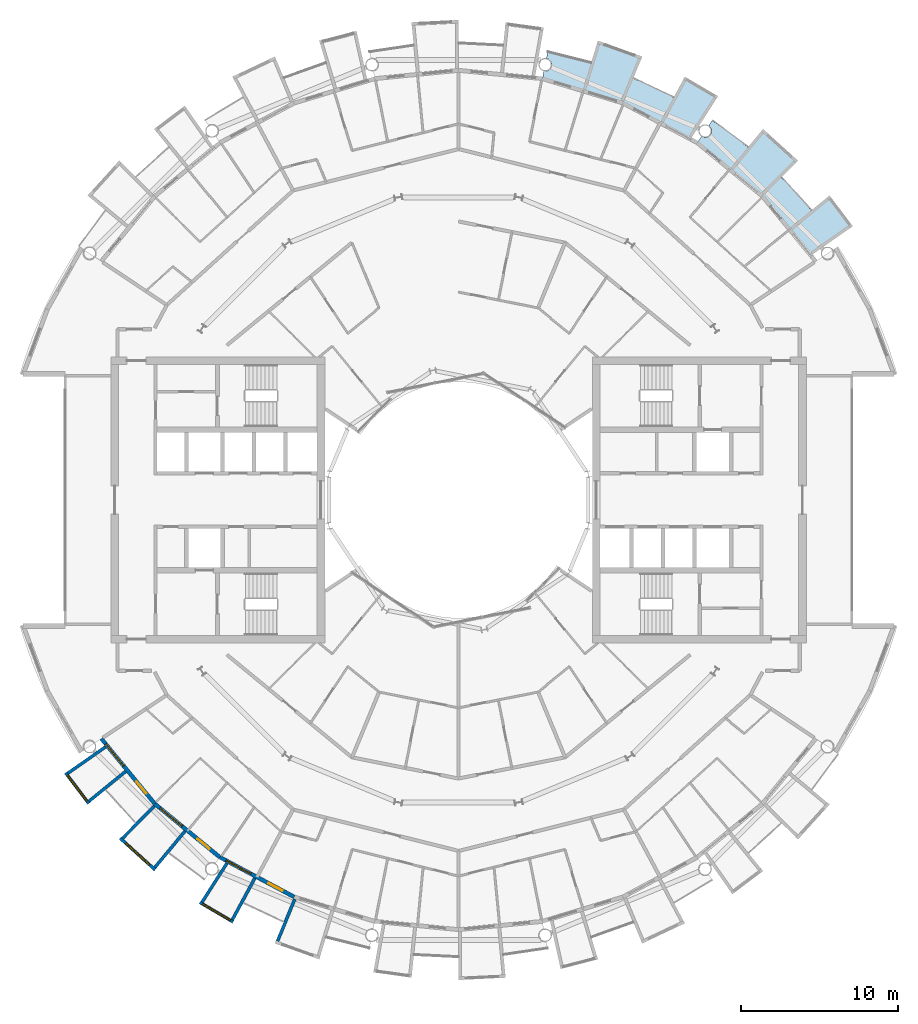
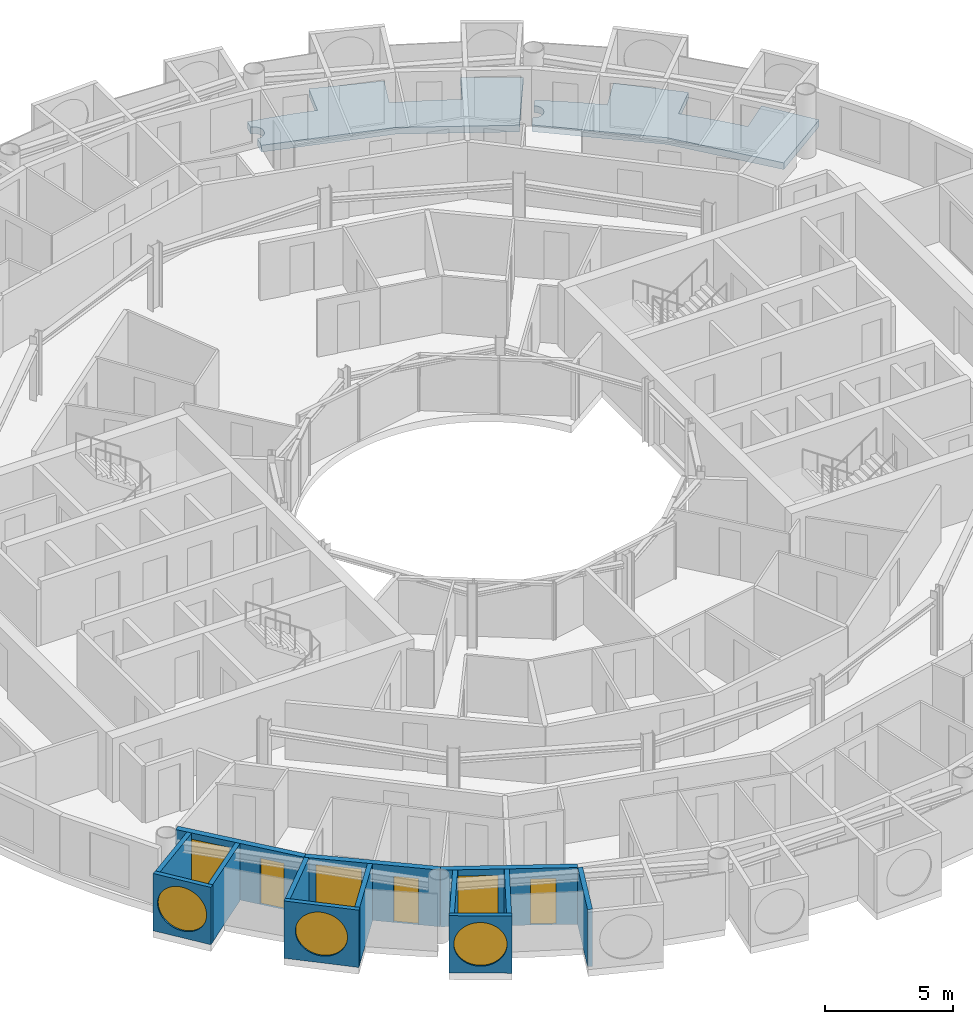
# One storey, part 13 of 27: 13 walls, 6 windows, 3 doors, 2 slabs, 9 openings.
"""IFC4 building model written with IfcOpenShell, lengths in metres."""

from ifc_helpers import new_model, si_unit, direction, frame, frame_2d, origin, place, context, subcontext, project, spatial, polyline, rectangle, circle, outline, extrude, material, layer, layer_set, type_object, element, fill, save


model = new_model("IFC4")

# Units and contexts
model_context = context("Model", 3, precision=1e-05, world=origin(), true_north=direction((0.0, 1.0)))
body_context = subcontext(model_context, "Body", "Model", "MODEL_VIEW")
ifc_project = project(units=[si_unit("LENGTHUNIT", "METRE"), si_unit("AREAUNIT", "SQUARE_METRE"), si_unit("VOLUMEUNIT", "CUBIC_METRE"), si_unit("PLANEANGLEUNIT", "RADIAN"), si_unit("MASSUNIT", "GRAM", prefix="KILO")], contexts=[model_context])

# Site, building, storey
site_placement = place(None, origin())
site = spatial("IfcSite", under=ifc_project, at=site_placement, CompositionType="ELEMENT")
building_placement = place(site_placement, origin())
building = spatial("IfcBuilding", under=site, at=building_placement, Name="Maasbend Ring Residences", CompositionType="ELEMENT")
storey_placement = place(building_placement, frame((0.0, 0.0, 164.64990234375)))
storey = spatial("IfcBuildingStorey", under=building, at=storey_placement, Name="L47", CompositionType="ELEMENT", Elevation=164.64990234375)

# Slabs
ifc_material_1 = material(Name="Concrete C40/50", Category="concrete")
ifc_layer_1 = layer(ifc_material_1, 0.199951171875)
ifc_layer_set_1 = layer_set([ifc_layer_1], Name="Concrete C40/50")
slab_type = type_object("IfcSlabType", Name="SL-LOGGIA", PredefinedType="FLOOR", material=ifc_layer_set_1)
slab_1_placement = place(storey_placement, frame((0.0, 0.0, -0.349853515625)))
element("IfcSlab", 1, at=slab_1_placement, inside=storey, type_object=slab_type, Name="Loggia floor 2", PredefinedType="FLOOR", context=body_context, shape_type="SweptSolid", body=[
    extrude(outline(polyline([(5.451904296875, 27.2548828125), (5.4619140625, 27.25390625), (5.471923828125, 27.2529296875), (5.48193359375, 27.251953125), (5.491943359375, 27.251953125), (5.501953125, 27.251953125), (5.510986328125, 27.251953125), (5.52099609375, 27.251953125), (5.531005859375, 27.2529296875), (5.541015625, 27.25390625), (5.551025390625, 27.2548828125), (5.56103515625, 27.256103515625), (5.571044921875, 27.258056640625), (5.5810546875, 27.259033203125), (5.591064453125, 27.260986328125), (5.60009765625, 27.263916015625), (5.610107421875, 27.26611328125), (5.6201171875, 27.26904296875), (5.62890625, 27.27197265625), (5.637939453125, 27.27490234375), (5.64794921875, 27.279052734375), (5.656982421875, 27.282958984375), (5.666015625, 27.285888671875), (5.675048828125, 27.291015625), (5.68408203125, 27.294921875), (5.693115234375, 27.300048828125), (5.701904296875, 27.303955078125), (5.7099609375, 27.30908203125), (5.718994140625, 27.31494140625), (5.72705078125, 27.320068359375), (5.736083984375, 27.325927734375), (5.743896484375, 27.33203125), (5.751953125, 27.337890625), (5.759033203125, 27.343994140625), (5.76708984375, 27.35009765625), (5.77392578125, 27.35693359375), (5.781982421875, 27.364013671875), (5.7890625, 27.37109375), (5.7958984375, 27.3779296875), (5.802978515625, 27.385009765625), (5.80908203125, 27.39306640625), (5.81591796875, 27.39990234375), (5.822021484375, 27.407958984375), (5.827880859375, 27.416015625), (5.833984375, 27.424072265625), (5.839111328125, 27.431884765625), (5.844970703125, 27.44091796875), (5.85009765625, 27.448974609375), (5.85498046875, 27.4580078125), (5.860107421875, 27.466064453125), (5.864990234375, 27.47509765625), (5.868896484375, 27.48388671875), (5.873046875, 27.492919921875), (5.876953125, 27.5029296875), (5.881103515625, 27.511962890625), (5.884033203125, 27.52099609375), (5.886962890625, 27.531005859375), (5.889892578125, 27.5400390625), (5.89306640625, 27.550048828125), (5.89599609375, 27.55908203125), (5.89794921875, 27.569091796875), (5.89990234375, 27.5791015625), (5.902099609375, 27.589111328125), (5.904052734375, 27.597900390625), (5.905029296875, 27.60791015625), (5.906005859375, 27.617919921875), (5.906982421875, 27.6279296875), (5.907958984375, 27.637939453125), (5.907958984375, 27.64794921875), (5.907958984375, 27.657958984375), (5.907958984375, 27.66796875), (5.907958984375, 27.677978515625), (5.906982421875, 27.68798828125), (5.906005859375, 27.697998046875), (5.905029296875, 27.7080078125), (5.904052734375, 27.718017578125), (5.902099609375, 27.72802734375), (5.89990234375, 27.737060546875), (5.89794921875, 27.7470703125), (5.89599609375, 27.757080078125), (5.89306640625, 27.76708984375), (5.889892578125, 27.77587890625), (5.886962890625, 27.785888671875), (5.884033203125, 27.794921875), (5.881103515625, 27.803955078125), (5.876953125, 27.81396484375), (5.873046875, 27.822998046875), (5.868896484375, 27.83203125), (5.864990234375, 27.841064453125), (5.860107421875, 27.85009765625), (5.85498046875, 27.85791015625), (5.85009765625, 27.866943359375), (5.844970703125, 27.8759765625), (5.839111328125, 27.884033203125), (5.833984375, 27.89208984375), (5.827880859375, 27.89990234375), (5.822021484375, 27.907958984375), (5.81591796875, 27.916015625), (5.80908203125, 27.924072265625), (5.802978515625, 27.930908203125), (5.7958984375, 27.93798828125), (5.7890625, 27.946044921875), (5.781982421875, 27.952880859375), (5.77392578125, 27.958984375), (5.76708984375, 27.966064453125), (5.759033203125, 27.971923828125), (5.751953125, 27.97900390625), (5.743896484375, 27.985107421875), (5.736083984375, 27.989990234375), (5.72705078125, 27.99609375), (5.718994140625, 28.001953125), (5.7099609375, 28.007080078125), (5.701904296875, 28.011962890625), (5.693115234375, 28.01708984375), (5.68408203125, 28.02099609375), (5.675048828125, 28.02587890625), (5.666015625, 28.030029296875), (5.656982421875, 28.033935546875), (5.64794921875, 28.037109375), (5.637939453125, 28.041015625), (5.62890625, 28.0439453125), (5.6201171875, 28.047119140625), (5.610107421875, 28.050048828125), (5.60009765625, 28.052001953125), (5.591064453125, 28.054931640625), (5.5810546875, 28.056884765625), (5.657958984375, 28.443115234375), (5.657958984375, 28.443115234375), (5.657958984375, 28.443115234375), (6.5849609375, 28.241943359375), (6.5849609375, 28.241943359375), (7.506103515625, 28.011962890625), (7.506103515625, 28.011962890625), (8.41796875, 27.7509765625), (8.41796875, 27.7509765625), (8.41796875, 27.7509765625), (8.41796875, 27.7509765625), (8.41796875, 27.7509765625), (8.41796875, 27.7509765625), (8.41796875, 27.7509765625), (8.41796875, 27.7509765625), (8.41796875, 27.7509765625), (8.41796875, 27.7509765625), (8.41796875, 27.751953125), (8.41796875, 27.751953125), (8.41796875, 27.751953125), (8.41796875, 27.751953125), (8.41796875, 27.751953125), (8.41796875, 27.751953125), (8.41796875, 27.751953125), (8.85400390625, 29.18701171875), (8.85400390625, 29.18701171875), (8.85400390625, 29.18701171875), (11.672119140625, 28.177978515625), (11.672119140625, 28.177978515625), (11.672119140625, 28.177978515625), (11.097900390625, 26.79296875), (11.097900390625, 26.79296875), (11.097900390625, 26.79296875), (11.097900390625, 26.79296875), (11.097900390625, 26.79296875), (11.097900390625, 26.79296875), (11.097900390625, 26.79296875), (11.097900390625, 26.79296875), (11.097900390625, 26.79296875), (11.097900390625, 26.79296875), (11.097900390625, 26.7919921875), (11.097900390625, 26.7919921875), (11.097900390625, 26.7919921875), (11.097900390625, 26.7919921875), (11.097900390625, 26.7919921875), (11.097900390625, 26.7919921875), (11.097900390625, 26.7919921875), (11.968994140625, 26.4150390625), (11.968994140625, 26.4150390625), (12.825927734375, 26.009033203125), (12.825927734375, 26.009033203125), (13.669921875, 25.575927734375), (13.669921875, 25.575927734375), (13.669921875, 25.575927734375), (13.669921875, 25.575927734375), (13.669921875, 25.575927734375), (13.669921875, 25.575927734375), (13.669921875, 25.575927734375), (13.669921875, 25.575927734375), (13.669921875, 25.575927734375), (13.669921875, 25.575927734375), (13.6708984375, 25.575927734375), (13.6708984375, 25.575927734375), (13.6708984375, 25.575927734375), (13.6708984375, 25.575927734375), (13.6708984375, 25.575927734375), (13.6708984375, 25.575927734375), (13.6708984375, 25.575927734375), (14.3779296875, 26.89892578125), (14.3779296875, 26.89892578125), (14.3779296875, 26.89892578125), (16.487060546875, 25.659912109375), (16.487060546875, 25.659912109375), (16.487060546875, 25.659912109375), (14.73291015625, 22.930908203125), (14.73291015625, 22.930908203125), (14.73291015625, 22.930908203125), (12.806884765625, 23.9609375), (10.447021484375, 25.221923828125), (10.447021484375, 25.221923828125), (10.447021484375, 25.221923828125), (7.886962890625, 25.9990234375), (5.325927734375, 26.77490234375), (5.325927734375, 26.77490234375), (5.325927734375, 26.77490234375), (5.422119140625, 27.259033203125), (5.431884765625, 27.258056640625), (5.44189453125, 27.256103515625), (5.451904296875, 27.2548828125)])), origin(), (0.0, 0.0, 1.0), 0.320068359375),
])
slab_2_placement = place(storey_placement, frame((0.0, 0.0, -0.349853515625)))
element("IfcSlab", 2, at=slab_2_placement, inside=storey, type_object=slab_type, Name="Loggia floor 5", PredefinedType="FLOOR", context=body_context, shape_type="SweptSolid", body=[
    extrude(outline(polyline([(15.4580078125, 23.09912109375), (15.467041015625, 23.093994140625), (15.47509765625, 23.089111328125), (15.48388671875, 23.083984375), (15.492919921875, 23.080078125), (15.501953125, 23.075927734375), (15.511962890625, 23.072021484375), (15.52099609375, 23.068115234375), (15.530029296875, 23.06494140625), (15.5400390625, 23.06103515625), (15.549072265625, 23.05810546875), (15.55908203125, 23.055908203125), (15.568115234375, 23.052978515625), (15.577880859375, 23.051025390625), (15.587890625, 23.049072265625), (15.597900390625, 23.047119140625), (15.60693359375, 23.044921875), (15.616943359375, 23.0439453125), (15.626953125, 23.04296875), (15.636962890625, 23.0419921875), (15.64697265625, 23.041015625), (15.656982421875, 23.041015625), (15.6669921875, 23.041015625), (15.677001953125, 23.041015625), (15.68701171875, 23.041015625), (15.697021484375, 23.0419921875), (15.70703125, 23.04296875), (15.717041015625, 23.0439453125), (15.72705078125, 23.044921875), (15.737060546875, 23.047119140625), (15.74609375, 23.049072265625), (15.756103515625, 23.051025390625), (15.76611328125, 23.052978515625), (15.77587890625, 23.055908203125), (15.784912109375, 23.05810546875), (15.794921875, 23.06103515625), (15.803955078125, 23.06494140625), (15.81298828125, 23.068115234375), (15.822998046875, 23.072021484375), (15.83203125, 23.075927734375), (15.841064453125, 23.080078125), (15.85009765625, 23.083984375), (15.85888671875, 23.089111328125), (15.866943359375, 23.093994140625), (15.8759765625, 23.09912109375), (15.885009765625, 23.10400390625), (15.89306640625, 23.10888671875), (15.90087890625, 23.114990234375), (15.908935546875, 23.12109375), (15.9169921875, 23.126953125), (15.925048828125, 23.133056640625), (15.93310546875, 23.139892578125), (15.93994140625, 23.14599609375), (15.947021484375, 23.153076171875), (15.955078125, 23.159912109375), (15.9619140625, 23.1669921875), (15.968017578125, 23.174072265625), (15.97509765625, 23.181884765625), (15.98095703125, 23.18994140625), (15.988037109375, 23.197021484375), (15.993896484375, 23.205078125), (15.9990234375, 23.212890625), (16.0048828125, 23.221923828125), (16.010986328125, 23.22998046875), (16.01611328125, 23.238037109375), (16.02099609375, 23.2470703125), (16.02587890625, 23.256103515625), (16.030029296875, 23.264892578125), (16.034912109375, 23.27392578125), (16.0390625, 23.282958984375), (16.04296875, 23.2919921875), (16.0458984375, 23.301025390625), (16.050048828125, 23.31005859375), (16.052978515625, 23.320068359375), (16.055908203125, 23.3291015625), (16.05908203125, 23.339111328125), (16.06103515625, 23.34912109375), (16.06396484375, 23.35791015625), (16.06591796875, 23.367919921875), (16.068115234375, 23.3779296875), (16.069091796875, 23.387939453125), (16.071044921875, 23.39794921875), (16.072021484375, 23.407958984375), (16.072021484375, 23.4169921875), (16.072998046875, 23.427001953125), (16.072998046875, 23.43701171875), (16.073974609375, 23.447021484375), (16.072998046875, 23.45703125), (16.072998046875, 23.467041015625), (16.072021484375, 23.47705078125), (16.072021484375, 23.487060546875), (16.071044921875, 23.4970703125), (16.069091796875, 23.507080078125), (16.068115234375, 23.51708984375), (16.06591796875, 23.527099609375), (16.06396484375, 23.535888671875), (16.06103515625, 23.5458984375), (16.05908203125, 23.555908203125), (16.055908203125, 23.56494140625), (16.052978515625, 23.574951171875), (16.050048828125, 23.583984375), (16.0458984375, 23.593994140625), (16.04296875, 23.60302734375), (16.0390625, 23.612060546875), (16.034912109375, 23.62109375), (16.030029296875, 23.6298828125), (16.02587890625, 23.638916015625), (16.02099609375, 23.64794921875), (16.01611328125, 23.656005859375), (16.010986328125, 23.6650390625), (16.0048828125, 23.673095703125), (15.9990234375, 23.680908203125), (15.993896484375, 23.68994140625), (15.988037109375, 23.697021484375), (15.98095703125, 23.705078125), (15.97509765625, 23.712890625), (15.968017578125, 23.719970703125), (15.9619140625, 23.72802734375), (15.955078125, 23.735107421875), (15.947021484375, 23.741943359375), (15.93994140625, 23.7490234375), (15.93310546875, 23.7548828125), (15.925048828125, 23.761962890625), (15.9169921875, 23.76806640625), (15.908935546875, 23.77392578125), (15.90087890625, 23.780029296875), (15.89306640625, 23.784912109375), (15.89306640625, 23.784912109375), (16.112060546875, 24.113037109375), (16.112060546875, 24.113037109375), (16.112060546875, 24.113037109375), (16.89208984375, 23.572998046875), (16.89208984375, 23.572998046875), (17.654052734375, 23.007080078125), (17.654052734375, 23.007080078125), (18.39697265625, 22.41796875), (18.39697265625, 22.41796875), (18.39697265625, 22.41796875), (18.39697265625, 22.41796875), (18.39697265625, 22.41796875), (18.39697265625, 22.41796875), (18.39697265625, 22.41796875), (18.39697265625, 22.41796875), (18.39697265625, 22.41796875), (18.39697265625, 22.41796875), (18.39697265625, 22.41796875), (18.39794921875, 22.41796875), (18.39794921875, 22.41796875), (18.39794921875, 22.41796875), (18.39794921875, 22.41796875), (18.39794921875, 22.41796875), (18.39794921875, 22.41796875), (19.34912109375, 23.576904296875), (19.34912109375, 23.576904296875), (19.34912109375, 23.576904296875), (21.56689453125, 21.56689453125), (21.56689453125, 21.56689453125), (21.56689453125, 21.56689453125), (20.506103515625, 20.506103515625), (20.506103515625, 20.506103515625), (20.506103515625, 20.506103515625), (20.506103515625, 20.506103515625), (20.506103515625, 20.506103515625), (20.506103515625, 20.506103515625), (20.506103515625, 20.506103515625), (20.506103515625, 20.506103515625), (20.506103515625, 20.506103515625), (20.506103515625, 20.506103515625), (20.506103515625, 20.506103515625), (20.506103515625, 20.506103515625), (20.506103515625, 20.506103515625), (20.506103515625, 20.506103515625), (20.506103515625, 20.506103515625), (20.506103515625, 20.506103515625), (20.506103515625, 20.506103515625), (21.166015625, 19.823974609375), (21.166015625, 19.823974609375), (21.802978515625, 19.12109375), (21.802978515625, 19.12109375), (22.4169921875, 18.39794921875), (22.4169921875, 18.39794921875), (22.4169921875, 18.39794921875), (22.4169921875, 18.39794921875), (22.4169921875, 18.39794921875), (22.4169921875, 18.39794921875), (22.4169921875, 18.39794921875), (22.4169921875, 18.39794921875), (22.4169921875, 18.39794921875), (22.4169921875, 18.39794921875), (22.4169921875, 18.39794921875), (22.4169921875, 18.39794921875), (22.41796875, 18.39794921875), (22.41796875, 18.39794921875), (22.41796875, 18.39794921875), (22.41796875, 18.39794921875), (22.41796875, 18.39794921875), (23.576904296875, 19.34912109375), (23.576904296875, 19.34912109375), (23.576904296875, 19.34912109375), (25.051025390625, 17.39794921875), (25.051025390625, 17.39794921875), (25.051025390625, 17.39794921875), (22.386962890625, 15.547119140625), (22.386962890625, 15.547119140625), (22.386962890625, 15.547119140625), (21.001953125, 17.236083984375), (19.303955078125, 19.303955078125), (19.303955078125, 19.303955078125), (19.303955078125, 19.303955078125), (17.236083984375, 21.001953125), (15.1669921875, 22.698974609375), (15.1669921875, 22.698974609375), (15.1669921875, 22.698974609375), (15.44091796875, 23.10888671875), (15.44091796875, 23.10888671875), (15.449951171875, 23.10400390625), (15.4580078125, 23.09912109375)])), origin(), (0.0, 0.0, 1.0), 0.320068359375),
])

# Wall, opening, window
ifc_material_2 = material(Name="Pale anodised aluminium panel", Category="aluminium")
ifc_layer_2 = layer(ifc_material_2, 0.199951171875)
ifc_layer_set_2 = layer_set([ifc_layer_2], Name="EW-BOX")
wall_type_1 = type_object("IfcWallType", Name="EW-BOX", PredefinedType="SOLIDWALL", material=ifc_layer_set_2)
wall_1_placement = place(storey_placement, frame((-24.971923828125, -17.3369140625, -0.02978515625), z_axis=(0.0, 0.0, 1.0), x_axis=(0.602806268067, -0.797887588059, 0.0)))
wall_1 = element("IfcWall", 3, at=wall_1_placement, inside=storey, type_object=wall_type_1, Name="Box front S01", PredefinedType="SOLIDWALL", context=body_context, shape_type="SweptSolid", body=[
    extrude(rectangle(XDim=2.446533203125, YDim=0.199951171875, at=frame_2d((1.22314453125, 0.0))), origin(), (0.0, 0.0, 1.0), 2.72998046875),
])
opening_1_placement = place(wall_1_placement, frame((0.182861328125, 0.0, 0.330078125)))
opening_1 = element("IfcOpeningElement", 4, at=opening_1_placement, cuts=wall_1, Name="Opening W-RD", PredefinedType="OPENING", context=body_context, shape_type="SweptSolid", body=[
    extrude(circle(Radius=1.0400390625, at=frame_2d((1.0400390625, 1.0400390625))), frame((0.0, 0.10986328125, 0.0), z_axis=(0.0, -1.0, 0.0), x_axis=(1.0, 0.0, 0.0)), (0.0, 0.0, 1.0), 0.219970703125),
])
ifc_material_3 = material(Name="Aluminium and clear glass", Category="aluminium")
window_type_1 = type_object("IfcWindowType", Name="W-RD", PartitioningType="SINGLE_PANEL", PredefinedType="WINDOW", material=ifc_material_3)
window_1_placement = place(opening_1_placement, origin())
window_1 = element("IfcWindow", 5, at=window_1_placement, inside=storey, type_object=window_type_1, Name="Round window S01", OverallHeight=2.080078125, OverallWidth=2.080078125, PartitioningType="SINGLE_PANEL", PredefinedType="WINDOW", context=body_context, shape_type="SweptSolid", body=[
    extrude(circle(Radius=1.0400390625, at=frame_2d((1.0400390625, 1.0400390625))), frame((0.0, 0.030029296875, 0.0), z_axis=(0.0, -1.0, 0.0), x_axis=(1.0, 0.0, 0.0)), (0.0, 0.0, 1.0), 0.06005859375),
])
fill(opening_1, window_1)

# Walls
wall_2_placement = place(storey_placement, frame((-22.43310546875, -15.68798828125, -0.02978515625), z_axis=(0.0, 0.0, 1.0), x_axis=(-0.819373043115, -0.573260687834, 0.0)))
element("IfcWall", 6, at=wall_2_placement, inside=storey, type_object=wall_type_1, Name="Box side wall S01 left", PredefinedType="SOLIDWALL", context=body_context, shape_type="SweptSolid", body=[
    extrude(rectangle(XDim=2.92529296875, YDim=0.199951171875, at=frame_2d((1.462646484375, 0.0))), origin(), (0.0, 0.0, 1.0), 2.72998046875),
])
wall_3_placement = place(storey_placement, frame((-21.155029296875, -17.24609375, -0.02978515625), z_axis=(0.0, 0.0, 1.0), x_axis=(-0.775179004516, -0.631741648902, 0.0)))
element("IfcWall", 7, at=wall_3_placement, inside=storey, type_object=wall_type_1, Name="Box side wall S01 right", PredefinedType="SOLIDWALL", context=body_context, shape_type="SweptSolid", body=[
    extrude(rectangle(XDim=3.005859375, YDim=0.199951171875, at=frame_2d((1.5029296875, 0.0))), origin(), (0.0, 0.0, 1.0), 2.72998046875),
])

# Wall, opening, window
wall_4_placement = place(storey_placement, frame((-21.5, -21.492919921875, -0.02978515625), z_axis=(0.0, 0.0, 1.0), x_axis=(0.740998365753, -0.671506829416, 0.0)))
wall_4 = element("IfcWall", 8, at=wall_4_placement, inside=storey, type_object=wall_type_1, Name="Box front S03", PredefinedType="SOLIDWALL", context=body_context, shape_type="SweptSolid", body=[
    extrude(rectangle(XDim=2.9931640625, YDim=0.199951171875, at=frame_2d((1.49658203125, 0.0))), origin(), (0.0, 0.0, 1.0), 2.72998046875),
])
opening_2_placement = place(wall_4_placement, frame((0.45654296875, 0.0, 0.330078125)))
opening_2 = element("IfcOpeningElement", 9, at=opening_2_placement, cuts=wall_4, Name="Opening W-RD", PredefinedType="OPENING", context=body_context, shape_type="SweptSolid", body=[
    extrude(circle(Radius=1.0400390625, at=frame_2d((1.0400390625, 1.0400390625))), frame((0.0, 0.10986328125, 0.0), z_axis=(0.0, -1.0, 0.0), x_axis=(1.0, 0.0, 0.0)), (0.0, 0.0, 1.0), 0.219970703125),
])
window_2_placement = place(opening_2_placement, origin())
window_2 = element("IfcWindow", 10, at=window_2_placement, inside=storey, type_object=window_type_1, Name="Round window S03", OverallHeight=2.080078125, OverallWidth=2.080078125, PartitioningType="SINGLE_PANEL", PredefinedType="WINDOW", context=body_context, shape_type="SweptSolid", body=[
    extrude(circle(Radius=1.0400390625, at=frame_2d((1.0400390625, 1.0400390625))), frame((0.0, 0.030029296875, 0.0), z_axis=(0.0, -1.0, 0.0), x_axis=(1.0, 0.0, 0.0)), (0.0, 0.0, 1.0), 0.06005859375),
])
fill(opening_2, window_2)

# Walls
wall_5_placement = place(storey_placement, frame((-19.322998046875, -19.449951171875, -0.02978515625), z_axis=(0.0, 0.0, 1.0), x_axis=(-0.704476739375, -0.709727076896, 0.0)))
element("IfcWall", 11, at=wall_5_placement, inside=storey, type_object=wall_type_1, Name="Box side wall S03 left", PredefinedType="SOLIDWALL", context=body_context, shape_type="SweptSolid", body=[
    extrude(rectangle(XDim=2.883056640625, YDim=0.199951171875, at=frame_2d((1.44140625, 0.0))), origin(), (0.0, 0.0, 1.0), 2.72998046875),
])
wall_6_placement = place(storey_placement, frame((-17.384033203125, -21.041015625, -0.02978515625), z_axis=(0.0, 0.0, 1.0), x_axis=(-0.63709551667, -0.770784861449, 0.0)))
element("IfcWall", 12, at=wall_6_placement, inside=storey, type_object=wall_type_1, Name="Box side wall S03 right", PredefinedType="SOLIDWALL", context=body_context, shape_type="SweptSolid", body=[
    extrude(rectangle(XDim=3.005859375, YDim=0.199951171875, at=frame_2d((1.5029296875, 0.0))), origin(), (0.0, 0.0, 1.0), 2.72998046875),
])

# Wall, opening, window
wall_7_placement = place(storey_placement, frame((-16.43603515625, -25.573974609375, -0.02978515625), z_axis=(0.0, 0.0, 1.0), x_axis=(0.862403467503, -0.506221551535, 0.0)))
wall_7 = element("IfcWall", 13, at=wall_7_placement, inside=storey, type_object=wall_type_1, Name="Box front S05", PredefinedType="SOLIDWALL", context=body_context, shape_type="SweptSolid", body=[
    extrude(rectangle(XDim=2.445556640625, YDim=0.199951171875, at=frame_2d((1.22265625, 0.0))), origin(), (0.0, 0.0, 1.0), 2.72998046875),
])
opening_3_placement = place(wall_7_placement, frame((0.182861328125, 0.0, 0.330078125)))
opening_3 = element("IfcOpeningElement", 14, at=opening_3_placement, cuts=wall_7, Name="Opening W-RD", PredefinedType="OPENING", context=body_context, shape_type="SweptSolid", body=[
    extrude(circle(Radius=1.0400390625, at=frame_2d((1.0400390625, 1.0400390625))), frame((0.0, 0.10986328125, 0.0), z_axis=(0.0, -1.0, 0.0), x_axis=(1.0, 0.0, 0.0)), (0.0, 0.0, 1.0), 0.219970703125),
])
window_3_placement = place(opening_3_placement, origin())
window_3 = element("IfcWindow", 15, at=window_3_placement, inside=storey, type_object=window_type_1, Name="Round window S05", OverallHeight=2.080078125, OverallWidth=2.080078125, PartitioningType="SINGLE_PANEL", PredefinedType="WINDOW", context=body_context, shape_type="SweptSolid", body=[
    extrude(circle(Radius=1.0400390625, at=frame_2d((1.0400390625, 1.0400390625))), frame((0.0, 0.030029296875, 0.0), z_axis=(0.0, -1.0, 0.0), x_axis=(1.0, 0.0, 0.0)), (0.0, 0.0, 1.0), 0.06005859375),
])
fill(opening_3, window_3)

# Walls
wall_8_placement = place(storey_placement, frame((-14.721923828125, -23.0791015625, -0.02978515625), z_axis=(0.0, 0.0, 1.0), x_axis=(-0.537572179146, -0.843217737129, 0.0)))
element("IfcWall", 16, at=wall_8_placement, inside=storey, type_object=wall_type_1, Name="Box side wall S05 left", PredefinedType="SOLIDWALL", context=body_context, shape_type="SweptSolid", body=[
    extrude(rectangle(XDim=2.92431640625, YDim=0.199951171875, at=frame_2d((1.462158203125, 0.0))), origin(), (0.0, 0.0, 1.0), 2.72998046875),
])
wall_9_placement = place(storey_placement, frame((-12.945068359375, -24.029052734375, -0.02978515625), z_axis=(0.0, 0.0, 1.0), x_axis=(-0.474424310775, -0.88029629861, 0.0)))
element("IfcWall", 17, at=wall_9_placement, inside=storey, type_object=wall_type_1, Name="Box side wall S05 right", PredefinedType="SOLIDWALL", context=body_context, shape_type="SweptSolid", body=[
    extrude(rectangle(XDim=3.005859375, YDim=0.199951171875, at=frame_2d((1.5029296875, 0.0))), origin(), (0.0, 0.0, 1.0), 2.72998046875),
])
wall_10_placement = place(storey_placement, frame((-10.408935546875, -25.364013671875, -0.02978515625), z_axis=(0.0, 0.0, 1.0), x_axis=(-0.379509886562, -0.925187681501, 0.0)))
element("IfcWall", 18, at=wall_10_placement, inside=storey, type_object=wall_type_1, Name="Box side wall S07 left", PredefinedType="SOLIDWALL", context=body_context, shape_type="SweptSolid", body=[
    extrude(rectangle(XDim=2.882568359375, YDim=0.199951171875, at=frame_2d((1.44140625, 0.0))), origin(), (0.0, 0.0, 1.0), 2.72998046875),
])

# Wall, openings, door, window
ifc_material_4 = material(Name="Aluminium clad insulated panel", Category="aluminium")
ifc_layer_3 = layer(ifc_material_4, 0.25)
ifc_layer_set_3 = layer_set([ifc_layer_3], Name="EW-GL")
wall_type_2 = type_object("IfcWallType", Name="EW-GL", PredefinedType="SOLIDWALL", material=ifc_layer_set_3)
wall_11_placement = place(storey_placement, frame((-22.698974609375, -15.1669921875, 0.0), z_axis=(0.0, 0.0, 1.0), x_axis=(0.634382322723, -0.773019449054, 0.0)))
wall_11 = element("IfcWall", 19, at=wall_11_placement, inside=storey, type_object=wall_type_2, Name="External wall S01", PredefinedType="SOLIDWALL", context=body_context, shape_type="SweptSolid", body=[
    extrude(rectangle(XDim=5.351806640625, YDim=0.25, at=frame_2d((2.67578125, 0.0))), origin(), (0.0, 0.0, 1.0), 2.7001953125),
])
opening_4_placement = place(wall_11_placement, frame((0.441162109375, 0.0, 0.300048828125)))
opening_4 = element("IfcOpeningElement", 20, at=opening_4_placement, cuts=wall_11, Name="Opening W-BX", PredefinedType="OPENING", context=body_context, shape_type="SweptSolid", body=[
    extrude(rectangle(XDim=1.800048828125, YDim=2.10009765625, at=frame_2d((0.89990234375, 1.050048828125))), frame((0.0, 0.135009765625, 0.0), z_axis=(0.0, -1.0, 0.0), x_axis=(1.0, 0.0, 0.0)), (0.0, 0.0, 1.0), 0.27001953125),
])
opening_5_placement = place(wall_11_placement, frame((3.510498046875, 0.0, 0.0)))
opening_5 = element("IfcOpeningElement", 21, at=opening_5_placement, cuts=wall_11, Name="Opening D-LG", PredefinedType="OPENING", context=body_context, shape_type="SweptSolid", body=[
    extrude(rectangle(XDim=1.0, YDim=2.199951171875, at=frame_2d((0.5, 1.10009765625))), frame((0.0, 0.135009765625, 0.0), z_axis=(0.0, -1.0, 0.0), x_axis=(1.0, 0.0, 0.0)), (0.0, 0.0, 1.0), 0.27001953125),
])
ifc_material_5 = material(Name="Aluminium and clear glass", Category="aluminium")
door_type = type_object("IfcDoorType", Name="D-LG", OperationType="SINGLE_SWING_LEFT", PredefinedType="DOOR", material=ifc_material_5)
door_1_placement = place(opening_5_placement, origin())
door_1 = element("IfcDoor", 22, at=door_1_placement, inside=storey, type_object=door_type, Name="Loggia door S02", OperationType="SINGLE_SWING_LEFT", OverallHeight=2.199951171875, OverallWidth=1.0, PredefinedType="DOOR", context=body_context, shape_type="SweptSolid", body=[
    extrude(rectangle(XDim=1.0, YDim=2.199951171875, at=frame_2d((0.5, 1.10009765625))), frame((0.0, 0.02490234375, 0.0), z_axis=(0.0, -1.0, 0.0), x_axis=(1.0, 0.0, 0.0)), (0.0, 0.0, 1.0), 0.050048828125),
])
fill(opening_5, door_1)
ifc_material_6 = material(Name="Aluminium and clear glass", Category="aluminium")
window_type_2 = type_object("IfcWindowType", Name="W-BX", PartitioningType="DOUBLE_PANEL_VERTICAL", PredefinedType="WINDOW", material=ifc_material_6)
window_4_placement = place(opening_4_placement, origin())
window_4 = element("IfcWindow", 23, at=window_4_placement, inside=storey, type_object=window_type_2, Name="Window S01 room to box", OverallHeight=2.10009765625, OverallWidth=1.800048828125, PartitioningType="SINGLE_PANEL", PredefinedType="WINDOW", context=body_context, shape_type="SweptSolid", body=[
    extrude(rectangle(XDim=1.800048828125, YDim=2.10009765625, at=frame_2d((0.89990234375, 1.050048828125))), frame((0.0, 0.030029296875, 0.0), z_axis=(0.0, -1.0, 0.0), x_axis=(1.0, 0.0, 0.0)), (0.0, 0.0, 1.0), 0.06005859375),
])
fill(opening_4, window_4)

wall_12_placement = place(storey_placement, frame((-19.303955078125, -19.303955078125, 0.0), z_axis=(0.0, 0.0, 1.0), x_axis=(0.773019449054, -0.634382322723, 0.0)))
wall_12 = element("IfcWall", 24, at=wall_12_placement, inside=storey, type_object=wall_type_2, Name="External wall S02", PredefinedType="SOLIDWALL", context=body_context, shape_type="SweptSolid", body=[
    extrude(rectangle(XDim=5.351806640625, YDim=0.25, at=frame_2d((2.67578125, 0.0))), origin(), (0.0, 0.0, 1.0), 2.7001953125),
])
opening_6_placement = place(wall_12_placement, frame((0.441162109375, 0.0, 0.300048828125)))
opening_6 = element("IfcOpeningElement", 25, at=opening_6_placement, cuts=wall_12, Name="Opening W-BX", PredefinedType="OPENING", context=body_context, shape_type="SweptSolid", body=[
    extrude(rectangle(XDim=1.800048828125, YDim=2.10009765625, at=frame_2d((0.89990234375, 1.050048828125))), frame((0.0, 0.135009765625, 0.0), z_axis=(0.0, -1.0, 0.0), x_axis=(1.0, 0.0, 0.0)), (0.0, 0.0, 1.0), 0.27001953125),
])
opening_7_placement = place(wall_12_placement, frame((3.510498046875, 0.0, 0.0)))
opening_7 = element("IfcOpeningElement", 26, at=opening_7_placement, cuts=wall_12, Name="Opening D-LG", PredefinedType="OPENING", context=body_context, shape_type="SweptSolid", body=[
    extrude(rectangle(XDim=1.0, YDim=2.199951171875, at=frame_2d((0.5, 1.10009765625))), frame((0.0, 0.135009765625, 0.0), z_axis=(0.0, -1.0, 0.0), x_axis=(1.0, 0.0, 0.0)), (0.0, 0.0, 1.0), 0.27001953125),
])
door_2_placement = place(opening_7_placement, origin())
door_2 = element("IfcDoor", 27, at=door_2_placement, inside=storey, type_object=door_type, Name="Loggia door S04", OperationType="SINGLE_SWING_LEFT", OverallHeight=2.199951171875, OverallWidth=1.0, PredefinedType="DOOR", context=body_context, shape_type="SweptSolid", body=[
    extrude(rectangle(XDim=1.0, YDim=2.199951171875, at=frame_2d((0.5, 1.10009765625))), frame((0.0, 0.02490234375, 0.0), z_axis=(0.0, -1.0, 0.0), x_axis=(1.0, 0.0, 0.0)), (0.0, 0.0, 1.0), 0.050048828125),
])
fill(opening_7, door_2)
window_5_placement = place(opening_6_placement, origin())
window_5 = element("IfcWindow", 28, at=window_5_placement, inside=storey, type_object=window_type_2, Name="Window S03 room to box", OverallHeight=2.10009765625, OverallWidth=1.800048828125, PartitioningType="SINGLE_PANEL", PredefinedType="WINDOW", context=body_context, shape_type="SweptSolid", body=[
    extrude(rectangle(XDim=1.800048828125, YDim=2.10009765625, at=frame_2d((0.89990234375, 1.050048828125))), frame((0.0, 0.030029296875, 0.0), z_axis=(0.0, -1.0, 0.0), x_axis=(1.0, 0.0, 0.0)), (0.0, 0.0, 1.0), 0.06005859375),
])
fill(opening_6, window_5)

wall_13_placement = place(storey_placement, frame((-15.1669921875, -22.698974609375, 0.0), z_axis=(0.0, 0.0, 1.0), x_axis=(0.881915646801, -0.471407246368, 0.0)))
wall_13 = element("IfcWall", 29, at=wall_13_placement, inside=storey, type_object=wall_type_2, Name="External wall S03", PredefinedType="SOLIDWALL", context=body_context, shape_type="SweptSolid", body=[
    extrude(rectangle(XDim=5.35205078125, YDim=0.25, at=frame_2d((2.676025390625, 0.0))), origin(), (0.0, 0.0, 1.0), 2.7001953125),
])
opening_8_placement = place(wall_13_placement, frame((0.441162109375, 0.0, 0.300048828125)))
opening_8 = element("IfcOpeningElement", 30, at=opening_8_placement, cuts=wall_13, Name="Opening W-BX", PredefinedType="OPENING", context=body_context, shape_type="SweptSolid", body=[
    extrude(rectangle(XDim=1.800048828125, YDim=2.10009765625, at=frame_2d((0.89990234375, 1.050048828125))), frame((0.0, 0.135009765625, 0.0), z_axis=(0.0, -1.0, 0.0), x_axis=(1.0, 0.0, 0.0)), (0.0, 0.0, 1.0), 0.27001953125),
])
opening_9_placement = place(wall_13_placement, frame((3.510498046875, 0.0, 0.0)))
opening_9 = element("IfcOpeningElement", 31, at=opening_9_placement, cuts=wall_13, Name="Opening D-LG", PredefinedType="OPENING", context=body_context, shape_type="SweptSolid", body=[
    extrude(rectangle(XDim=1.0, YDim=2.199951171875, at=frame_2d((0.5, 1.10009765625))), frame((0.0, 0.135009765625, 0.0), z_axis=(0.0, -1.0, 0.0), x_axis=(1.0, 0.0, 0.0)), (0.0, 0.0, 1.0), 0.27001953125),
])
door_3_placement = place(opening_9_placement, origin())
door_3 = element("IfcDoor", 32, at=door_3_placement, inside=storey, type_object=door_type, Name="Loggia door S06", OperationType="SINGLE_SWING_LEFT", OverallHeight=2.199951171875, OverallWidth=1.0, PredefinedType="DOOR", context=body_context, shape_type="SweptSolid", body=[
    extrude(rectangle(XDim=1.0, YDim=2.199951171875, at=frame_2d((0.5, 1.10009765625))), frame((0.0, 0.02490234375, 0.0), z_axis=(0.0, -1.0, 0.0), x_axis=(1.0, 0.0, 0.0)), (0.0, 0.0, 1.0), 0.050048828125),
])
fill(opening_9, door_3)
window_6_placement = place(opening_8_placement, origin())
window_6 = element("IfcWindow", 33, at=window_6_placement, inside=storey, type_object=window_type_2, Name="Window S05 room to box", OverallHeight=2.10009765625, OverallWidth=1.800048828125, PartitioningType="SINGLE_PANEL", PredefinedType="WINDOW", context=body_context, shape_type="SweptSolid", body=[
    extrude(rectangle(XDim=1.800048828125, YDim=2.10009765625, at=frame_2d((0.89990234375, 1.050048828125))), frame((0.0, 0.030029296875, 0.0), z_axis=(0.0, -1.0, 0.0), x_axis=(1.0, 0.0, 0.0)), (0.0, 0.0, 1.0), 0.06005859375),
])
fill(opening_8, window_6)

save(model, "model.ifc")
